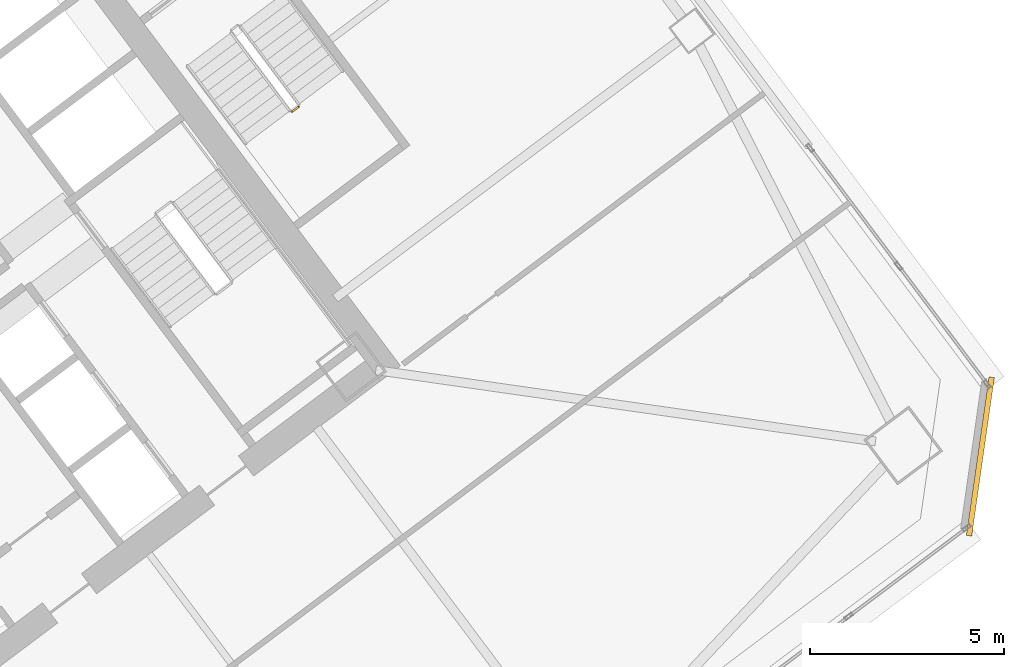
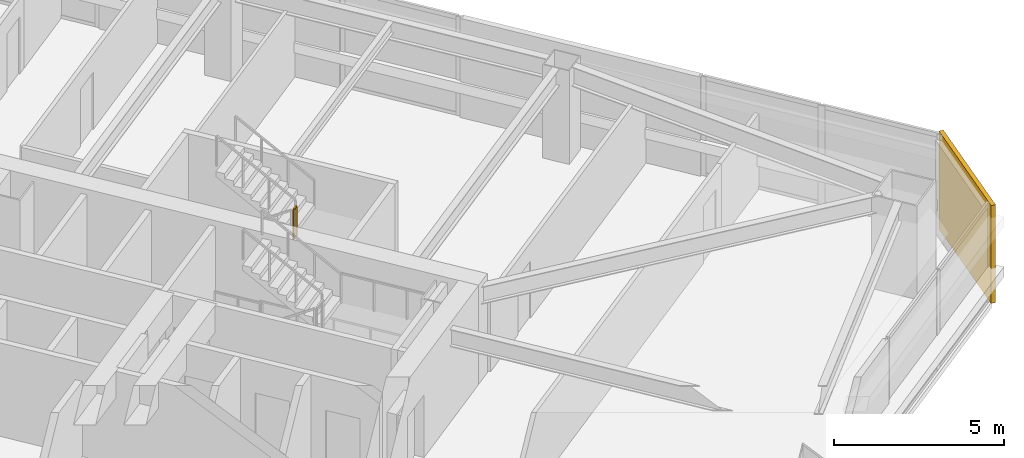
# One storey, part 42 of 44: 1 covering, 1 railing.
"""IFC4 building model written with IfcOpenShell, lengths in metres."""

import ifcopenshell
import ifcopenshell.guid

model = None  # the IFC model being written
_history = None  # IfcOwnerHistory: only IFC2X3 demands one
_inside = {}  # id of a spatial element -> (the spatial element, [elements in it])
_under = {}  # id of a project, library or spatial element -> (it, [spatial elements below it])
_declared = {}  # id of a project -> (the project, [libraries it declares])
_typed = {}  # id of a type object -> (the type object, [elements of that type])
_made_of = {}  # id of a material, layer set ... -> (it, [elements and type objects made of it])


def new_model(schema):
    """Start an empty IFC model of exactly this schema.

    Asked for "IFC4X3", IfcOpenShell would pick the latest addendum, in which some entities
    have other attributes; the version numbers below select the first issue.
    IFC2X3 requires an IfcOwnerHistory on every rooted entity: one is made here for all.
    """
    global model, _history
    if schema == "IFC4X3":
        model = ifcopenshell.file(schema_version=(4, 3, 0, 0))
    else:
        model = ifcopenshell.file(schema=schema)
    _inside.clear()
    _under.clear()
    _declared.clear()
    _typed.clear()
    _made_of.clear()
    _history = None
    if model.schema == "IFC2X3":
        org = make("IfcOrganization", Name="unknown")
        user = make(
            "IfcPersonAndOrganization",
            ThePerson=make("IfcPerson", FamilyName="unknown"),
            TheOrganization=org,
        )
        app = make(
            "IfcApplication",
            ApplicationDeveloper=org,
            Version="unknown",
            ApplicationFullName="unknown",
            ApplicationIdentifier="unknown",
        )
        _history = make(
            "IfcOwnerHistory",
            OwningUser=user,
            OwningApplication=app,
            ChangeAction="ADDED",
            CreationDate=0,
        )
    return model


def make(cls, **values):
    """One entity of the class cls with the attributes given. An attribute that is None is left unset."""
    return model.create_entity(
        cls, **{name: value for name, value in values.items() if value is not None}
    )


def rooted(cls, **values):
    """An entity with a GlobalId (a new one), such as an element, a storey or a relation."""
    return make(cls, GlobalId=ifcopenshell.guid.new(), OwnerHistory=_history, **values)


def si_unit(unit_type, name, prefix=None):
    """IfcSIUnit, for example si_unit("LENGTHUNIT", "METRE", prefix="MILLI")."""
    return make("IfcSIUnit", UnitType=unit_type, Prefix=prefix, Name=name)


def assignment(units):
    """IfcUnitAssignment: the units of a project."""
    return None if units is None else make("IfcUnitAssignment", Units=units)


def point(xyz):
    """IfcCartesianPoint."""
    return None if xyz is None else make("IfcCartesianPoint", Coordinates=xyz)


def direction(xyz):
    """IfcDirection."""
    return None if xyz is None else make("IfcDirection", DirectionRatios=xyz)


def frame(location, z_axis=None, x_axis=None):
    """IfcAxis2Placement3D, a coordinate frame: its origin and axes. An axis left out is left unset."""
    return make(
        "IfcAxis2Placement3D",
        Location=point(location),
        Axis=direction(z_axis),
        RefDirection=direction(x_axis),
    )


def frame_2d(location, x_axis=None):
    """IfcAxis2Placement2D, a coordinate frame in the plane: its origin and x axis."""
    return make(
        "IfcAxis2Placement2D", Location=point(location), RefDirection=direction(x_axis)
    )


def origin():
    """The frame at (0, 0, 0) with its axes left unset."""
    return frame((0.0, 0.0, 0.0))


def origin_2d():
    """The frame at (0, 0) in the plane with its x axis left unset."""
    return frame_2d((0.0, 0.0))


def place(relative_to, where):
    """IfcLocalPlacement: puts the frame where relative to a parent placement (None: the world)."""
    return make(
        "IfcLocalPlacement", PlacementRelTo=relative_to, RelativePlacement=where
    )


def context(
    kind, dimensions, precision=None, world=None, true_north=None, identifier=None
):
    """IfcGeometricRepresentationContext, for example the 3D "Model" context."""
    return make(
        "IfcGeometricRepresentationContext",
        ContextIdentifier=identifier,
        ContextType=kind,
        CoordinateSpaceDimension=dimensions,
        Precision=precision,
        WorldCoordinateSystem=world,
        TrueNorth=true_north,
    )


def subcontext(parent, identifier, kind, view, scale=None):
    """IfcGeometricRepresentationSubContext, for example "Body" below "Model"."""
    return make(
        "IfcGeometricRepresentationSubContext",
        ContextIdentifier=identifier,
        ContextType=kind,
        ParentContext=parent,
        TargetScale=scale,
        TargetView=view,
    )


def project(units=None, contexts=None):
    """IfcProject with its units and contexts."""
    return rooted(
        "IfcProject",
        Name="project",
        RepresentationContexts=contexts,
        UnitsInContext=assignment(units),
    )


def spatial(cls, under=None, at=None, **own):
    """A site, building, storey or space (cls), placed at a placement, below another one or the project."""
    s = rooted(cls, ObjectPlacement=at, **own)
    if under is not None:
        _under.setdefault(under.id(), (under, []))[1].append(s)
    return s


def profile(cls, at=None, kind="AREA", **sizes):
    """A parametric profile (cls). Its sizes go by their IFC names, for example OverallWidth=200.0."""
    return make(cls, ProfileType=kind, Position=at, **sizes)


def rectangle(**sizes):
    """IfcRectangleProfileDef."""
    return profile("IfcRectangleProfileDef", **sizes)


def extrude(swept, where, along, depth):
    """IfcExtrudedAreaSolid: the profile swept, set in the frame where, extruded along a direction by depth."""
    return make(
        "IfcExtrudedAreaSolid",
        SweptArea=swept,
        Position=where,
        ExtrudedDirection=direction(along),
        Depth=depth,
    )


def shape(context_of_items, identifier, shape_type, items):
    """IfcShapeRepresentation: the items that make up one representation, for example the "Body"."""
    return make(
        "IfcShapeRepresentation",
        ContextOfItems=context_of_items,
        RepresentationIdentifier=identifier,
        RepresentationType=shape_type,
        Items=items,
    )


def material(Name=None, Category=None):
    """IfcMaterial."""
    return make("IfcMaterial", Name=Name, Category=Category)


def layer(
    of_material, thickness, ventilated=None, Name=None, Category=None, Priority=None
):
    """IfcMaterialLayer: one layer of a wall or slab, of a material (None: an air gap)."""
    return make(
        "IfcMaterialLayer",
        Material=of_material,
        LayerThickness=thickness,
        IsVentilated=ventilated,
        Name=Name,
        Category=Category,
        Priority=Priority,
    )


def layer_set(layers, Name=None):
    """IfcMaterialLayerSet."""
    return make("IfcMaterialLayerSet", MaterialLayers=layers, LayerSetName=Name)


def made_of(thing, what):
    """Note that an element or type object is made of a material, layer set ...; save() writes the relation."""
    if what is not None:
        _made_of.setdefault(what.id(), (what, []))[1].append(thing)
    return thing


def type_object(cls, material=None, **own):
    """A type object (cls), such as IfcWallType, which elements share."""
    return made_of(rooted(cls, **own), material)


def element(
    cls,
    number,
    at=None,
    inside=None,
    cuts=None,
    type_object=None,
    material=None,
    context=None,
    identifier="Body",
    shape_type=None,
    held_by="IfcProductDefinitionShape",
    body=None,
    shapes=None,
    **own,
):
    """One element of the class cls, such as IfcWall. Its Tag is "e" and its number.

    at: its placement. inside: the storey or other place that contains it. cuts: it is an
    opening in that element (IfcRelVoidsElement). A single representation is given by context,
    identifier, shape_type and body (its items); several are given by shapes. held_by: the class
    of the entity that holds the representations. save() writes the other relations.
    """
    e = rooted(cls, Tag="e%d" % number, ObjectPlacement=at, **own)
    if body is not None:
        shapes = [shape(context, identifier, shape_type, body)]
    if shapes is not None:
        e.Representation = make(held_by, Representations=shapes)
    if inside is not None:
        _inside.setdefault(inside.id(), (inside, []))[1].append(e)
    if cuts is not None:
        rooted(
            "IfcRelVoidsElement", RelatingBuildingElement=cuts, RelatedOpeningElement=e
        )
    if type_object is not None:
        _typed.setdefault(type_object.id(), (type_object, []))[1].append(e)
    return made_of(e, material)


def aggregate(whole, parts):
    """IfcRelAggregates: a whole, such as a stair, and the parts it consists of."""
    return rooted("IfcRelAggregates", RelatingObject=whole, RelatedObjects=parts)


def save(model, path):
    """Write the relations noted so far, then the file.

    IfcRelAggregates (storeys below a building ...), IfcRelContainedInSpatialStructure (elements
    in a storey), IfcRelDefinesByType, IfcRelAssociatesMaterial and IfcRelDeclares: one each for
    every whole, place, type object, material and project.
    """
    for whole, parts in _under.values():
        aggregate(whole, parts)
    for where, things in _inside.values():
        rooted(
            "IfcRelContainedInSpatialStructure",
            RelatedElements=things,
            RelatingStructure=where,
        )
    for kind, things in _typed.values():
        rooted("IfcRelDefinesByType", RelatedObjects=things, RelatingType=kind)
    for what, things in _made_of.values():
        rooted("IfcRelAssociatesMaterial", RelatedObjects=things, RelatingMaterial=what)
    for by, libraries in _declared.values():
        rooted("IfcRelDeclares", RelatingContext=by, RelatedDefinitions=libraries)
    model.write(path)


model = new_model("IFC4")

# Units and contexts
model_context = context("Model", 3, precision=1e-05, world=origin(), true_north=direction((0.0, 1.0)))
body_context = subcontext(model_context, "Body", "Model", "MODEL_VIEW")
ifc_project = project(units=[si_unit("LENGTHUNIT", "METRE"), si_unit("AREAUNIT", "SQUARE_METRE"), si_unit("VOLUMEUNIT", "CUBIC_METRE"), si_unit("PLANEANGLEUNIT", "RADIAN"), si_unit("MASSUNIT", "GRAM", prefix="KILO")], contexts=[model_context])

# Site, building, storey
site_placement = place(None, origin())
site = spatial("IfcSite", under=ifc_project, at=site_placement, CompositionType="ELEMENT")
building_placement = place(site_placement, origin())
building = spatial("IfcBuilding", under=site, at=building_placement, Name="Tashvorn Skyway Center", CompositionType="ELEMENT")
storey_placement = place(building_placement, frame((0.0, 0.0, 92.050048828125)))
storey = spatial("IfcBuildingStorey", under=building, at=storey_placement, Name="L24", CompositionType="ELEMENT", Elevation=92.050048828125)

# Covering
ifc_material_1 = material(Name="Precast concrete C40/50", Category="concrete")
ifc_layer = layer(ifc_material_1, 0.35009765625)
ifc_layer_set = layer_set([ifc_layer], Name="Precast concrete C40/50")
covering_type = type_object("IfcCoveringType", Name="COV-STONE-TRIM", PredefinedType="CLADDING", material=ifc_layer_set)
covering_placement = place(storey_placement, frame((140.068115234375, 28.27587890625, 0.02001953125), z_axis=(0.0, 0.0, 1.0), x_axis=(0.141421350118, 0.989949494535, 0.0)))
element("IfcCovering", 1, at=covering_placement, inside=storey, type_object=covering_type, Name="Tower 2 L24 SE Mojave Limestone Corner Quoin", PredefinedType="CLADDING", context=body_context, shape_type="SweptSolid", body=[
    extrude(rectangle(XDim=4.119873046875, YDim=0.139892578125, at=origin_2d()), origin(), (0.0, 0.0, 1.0), 3.510009765625),
])

# Railing
ifc_material_2 = material(Name="Painted galvanized steel S355", Category="steel")
railing_type = type_object("IfcRailingType", Name="RAIL-STGUARD-1100", PredefinedType="GUARDRAIL", material=ifc_material_2)
railing_placement = place(storey_placement, frame((122.35791015625, 37.156005859375, 1.77490234375)))
element("IfcRailing", 2, at=railing_placement, inside=storey, type_object=railing_type, Name="L24 ST-T2-3 stair guard 2", PredefinedType="GUARDRAIL", context=body_context, shape_type="SweptSolid", body=[
    extrude(rectangle(XDim=0.048095703125, YDim=0.048095703125, at=origin_2d()), frame((0.0, 0.0, 1.076171875), z_axis=(0.800585412921, 0.599218655098, 0.0), x_axis=(-0.599218655098, 0.800585412921, 0.0)), (0.0, 0.0, 1.0), 0.199951171875),
    extrude(rectangle(XDim=0.0419921875, YDim=0.0419921875, at=origin_2d()), origin(), (0.0, 0.0, 1.0), 1.052001953125),
    extrude(rectangle(XDim=0.0419921875, YDim=0.0419921875, at=origin_2d()), frame((0.16015625, 0.119873046875, 0.0)), (0.0, 0.0, 1.0), 1.052001953125),
])

save(model, "model.ifc")
